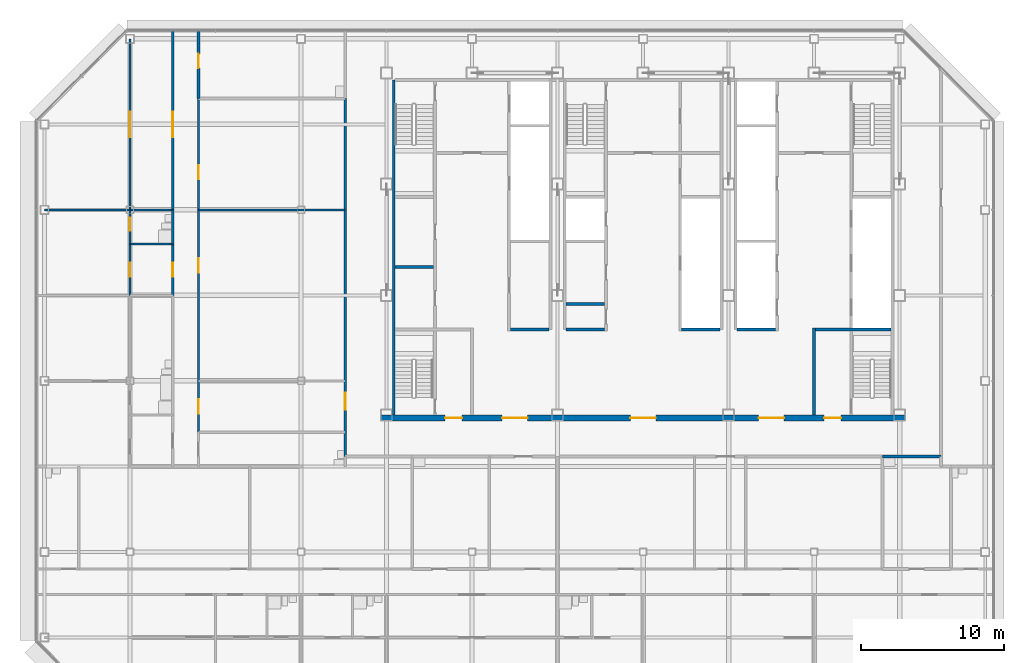
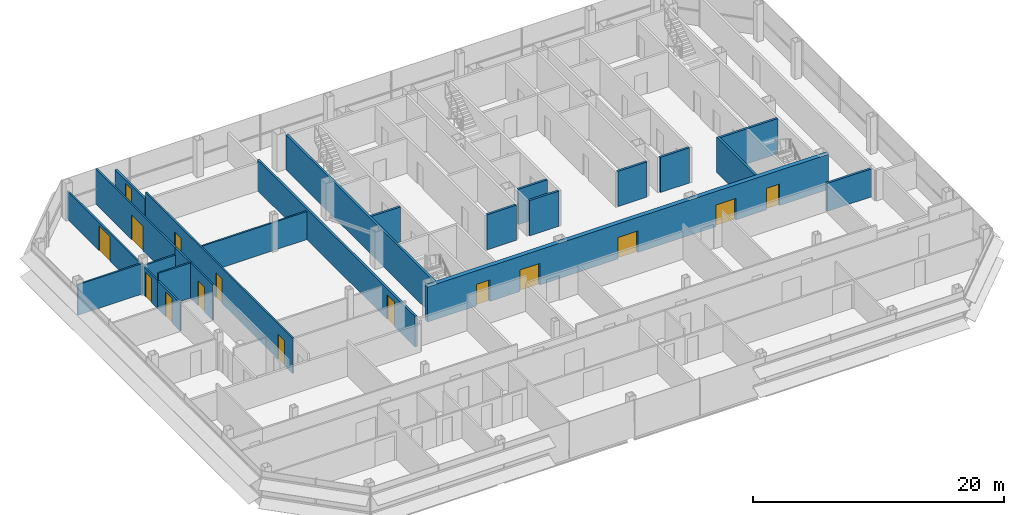
# One storey, part 22 of 27: 24 walls, 15 doors, 15 openings.
"""IFC4 building model written with IfcOpenShell, lengths in metres."""

import ifcopenshell
import ifcopenshell.guid

model = None  # the IFC model being written
_history = None  # IfcOwnerHistory: only IFC2X3 demands one
_inside = {}  # id of a spatial element -> (the spatial element, [elements in it])
_under = {}  # id of a project, library or spatial element -> (it, [spatial elements below it])
_declared = {}  # id of a project -> (the project, [libraries it declares])
_typed = {}  # id of a type object -> (the type object, [elements of that type])
_made_of = {}  # id of a material, layer set ... -> (it, [elements and type objects made of it])


def new_model(schema):
    """Start an empty IFC model of exactly this schema.

    Asked for "IFC4X3", IfcOpenShell would pick the latest addendum, in which some entities
    have other attributes; the version numbers below select the first issue.
    IFC2X3 requires an IfcOwnerHistory on every rooted entity: one is made here for all.
    """
    global model, _history
    if schema == "IFC4X3":
        model = ifcopenshell.file(schema_version=(4, 3, 0, 0))
    else:
        model = ifcopenshell.file(schema=schema)
    _inside.clear()
    _under.clear()
    _declared.clear()
    _typed.clear()
    _made_of.clear()
    _history = None
    if model.schema == "IFC2X3":
        org = make("IfcOrganization", Name="unknown")
        user = make(
            "IfcPersonAndOrganization",
            ThePerson=make("IfcPerson", FamilyName="unknown"),
            TheOrganization=org,
        )
        app = make(
            "IfcApplication",
            ApplicationDeveloper=org,
            Version="unknown",
            ApplicationFullName="unknown",
            ApplicationIdentifier="unknown",
        )
        _history = make(
            "IfcOwnerHistory",
            OwningUser=user,
            OwningApplication=app,
            ChangeAction="ADDED",
            CreationDate=0,
        )
    return model


def make(cls, **values):
    """One entity of the class cls with the attributes given. An attribute that is None is left unset."""
    return model.create_entity(
        cls, **{name: value for name, value in values.items() if value is not None}
    )


def rooted(cls, **values):
    """An entity with a GlobalId (a new one), such as an element, a storey or a relation."""
    return make(cls, GlobalId=ifcopenshell.guid.new(), OwnerHistory=_history, **values)


def si_unit(unit_type, name, prefix=None):
    """IfcSIUnit, for example si_unit("LENGTHUNIT", "METRE", prefix="MILLI")."""
    return make("IfcSIUnit", UnitType=unit_type, Prefix=prefix, Name=name)


def assignment(units):
    """IfcUnitAssignment: the units of a project."""
    return None if units is None else make("IfcUnitAssignment", Units=units)


def point(xyz):
    """IfcCartesianPoint."""
    return None if xyz is None else make("IfcCartesianPoint", Coordinates=xyz)


def direction(xyz):
    """IfcDirection."""
    return None if xyz is None else make("IfcDirection", DirectionRatios=xyz)


def frame(location, z_axis=None, x_axis=None):
    """IfcAxis2Placement3D, a coordinate frame: its origin and axes. An axis left out is left unset."""
    return make(
        "IfcAxis2Placement3D",
        Location=point(location),
        Axis=direction(z_axis),
        RefDirection=direction(x_axis),
    )


def frame_2d(location, x_axis=None):
    """IfcAxis2Placement2D, a coordinate frame in the plane: its origin and x axis."""
    return make(
        "IfcAxis2Placement2D", Location=point(location), RefDirection=direction(x_axis)
    )


def origin():
    """The frame at (0, 0, 0) with its axes left unset."""
    return frame((0.0, 0.0, 0.0))


def place(relative_to, where):
    """IfcLocalPlacement: puts the frame where relative to a parent placement (None: the world)."""
    return make(
        "IfcLocalPlacement", PlacementRelTo=relative_to, RelativePlacement=where
    )


def context(
    kind, dimensions, precision=None, world=None, true_north=None, identifier=None
):
    """IfcGeometricRepresentationContext, for example the 3D "Model" context."""
    return make(
        "IfcGeometricRepresentationContext",
        ContextIdentifier=identifier,
        ContextType=kind,
        CoordinateSpaceDimension=dimensions,
        Precision=precision,
        WorldCoordinateSystem=world,
        TrueNorth=true_north,
    )


def subcontext(parent, identifier, kind, view, scale=None):
    """IfcGeometricRepresentationSubContext, for example "Body" below "Model"."""
    return make(
        "IfcGeometricRepresentationSubContext",
        ContextIdentifier=identifier,
        ContextType=kind,
        ParentContext=parent,
        TargetScale=scale,
        TargetView=view,
    )


def project(units=None, contexts=None):
    """IfcProject with its units and contexts."""
    return rooted(
        "IfcProject",
        Name="project",
        RepresentationContexts=contexts,
        UnitsInContext=assignment(units),
    )


def spatial(cls, under=None, at=None, **own):
    """A site, building, storey or space (cls), placed at a placement, below another one or the project."""
    s = rooted(cls, ObjectPlacement=at, **own)
    if under is not None:
        _under.setdefault(under.id(), (under, []))[1].append(s)
    return s


def profile(cls, at=None, kind="AREA", **sizes):
    """A parametric profile (cls). Its sizes go by their IFC names, for example OverallWidth=200.0."""
    return make(cls, ProfileType=kind, Position=at, **sizes)


def rectangle(**sizes):
    """IfcRectangleProfileDef."""
    return profile("IfcRectangleProfileDef", **sizes)


def extrude(swept, where, along, depth):
    """IfcExtrudedAreaSolid: the profile swept, set in the frame where, extruded along a direction by depth."""
    return make(
        "IfcExtrudedAreaSolid",
        SweptArea=swept,
        Position=where,
        ExtrudedDirection=direction(along),
        Depth=depth,
    )


def shape(context_of_items, identifier, shape_type, items):
    """IfcShapeRepresentation: the items that make up one representation, for example the "Body"."""
    return make(
        "IfcShapeRepresentation",
        ContextOfItems=context_of_items,
        RepresentationIdentifier=identifier,
        RepresentationType=shape_type,
        Items=items,
    )


def material(Name=None, Category=None):
    """IfcMaterial."""
    return make("IfcMaterial", Name=Name, Category=Category)


def layer(
    of_material, thickness, ventilated=None, Name=None, Category=None, Priority=None
):
    """IfcMaterialLayer: one layer of a wall or slab, of a material (None: an air gap)."""
    return make(
        "IfcMaterialLayer",
        Material=of_material,
        LayerThickness=thickness,
        IsVentilated=ventilated,
        Name=Name,
        Category=Category,
        Priority=Priority,
    )


def layer_set(layers, Name=None):
    """IfcMaterialLayerSet."""
    return make("IfcMaterialLayerSet", MaterialLayers=layers, LayerSetName=Name)


def made_of(thing, what):
    """Note that an element or type object is made of a material, layer set ...; save() writes the relation."""
    if what is not None:
        _made_of.setdefault(what.id(), (what, []))[1].append(thing)
    return thing


def type_object(cls, material=None, **own):
    """A type object (cls), such as IfcWallType, which elements share."""
    return made_of(rooted(cls, **own), material)


def element(
    cls,
    number,
    at=None,
    inside=None,
    cuts=None,
    type_object=None,
    material=None,
    context=None,
    identifier="Body",
    shape_type=None,
    held_by="IfcProductDefinitionShape",
    body=None,
    shapes=None,
    **own,
):
    """One element of the class cls, such as IfcWall. Its Tag is "e" and its number.

    at: its placement. inside: the storey or other place that contains it. cuts: it is an
    opening in that element (IfcRelVoidsElement). A single representation is given by context,
    identifier, shape_type and body (its items); several are given by shapes. held_by: the class
    of the entity that holds the representations. save() writes the other relations.
    """
    e = rooted(cls, Tag="e%d" % number, ObjectPlacement=at, **own)
    if body is not None:
        shapes = [shape(context, identifier, shape_type, body)]
    if shapes is not None:
        e.Representation = make(held_by, Representations=shapes)
    if inside is not None:
        _inside.setdefault(inside.id(), (inside, []))[1].append(e)
    if cuts is not None:
        rooted(
            "IfcRelVoidsElement", RelatingBuildingElement=cuts, RelatedOpeningElement=e
        )
    if type_object is not None:
        _typed.setdefault(type_object.id(), (type_object, []))[1].append(e)
    return made_of(e, material)


def fill(opening, filler):
    """IfcRelFillsElement: the door or window that sits in an opening."""
    return rooted(
        "IfcRelFillsElement",
        RelatingOpeningElement=opening,
        RelatedBuildingElement=filler,
    )


def aggregate(whole, parts):
    """IfcRelAggregates: a whole, such as a stair, and the parts it consists of."""
    return rooted("IfcRelAggregates", RelatingObject=whole, RelatedObjects=parts)


def save(model, path):
    """Write the relations noted so far, then the file.

    IfcRelAggregates (storeys below a building ...), IfcRelContainedInSpatialStructure (elements
    in a storey), IfcRelDefinesByType, IfcRelAssociatesMaterial and IfcRelDeclares: one each for
    every whole, place, type object, material and project.
    """
    for whole, parts in _under.values():
        aggregate(whole, parts)
    for where, things in _inside.values():
        rooted(
            "IfcRelContainedInSpatialStructure",
            RelatedElements=things,
            RelatingStructure=where,
        )
    for kind, things in _typed.values():
        rooted("IfcRelDefinesByType", RelatedObjects=things, RelatingType=kind)
    for what, things in _made_of.values():
        rooted("IfcRelAssociatesMaterial", RelatedObjects=things, RelatingMaterial=what)
    for by, libraries in _declared.values():
        rooted("IfcRelDeclares", RelatingContext=by, RelatedDefinitions=libraries)
    model.write(path)


model = new_model("IFC4")

# Units and contexts
model_context = context("Model", 3, precision=1e-05, world=origin(), true_north=direction((0.0, 1.0)))
body_context = subcontext(model_context, "Body", "Model", "MODEL_VIEW")
ifc_project = project(units=[si_unit("LENGTHUNIT", "METRE"), si_unit("AREAUNIT", "SQUARE_METRE"), si_unit("VOLUMEUNIT", "CUBIC_METRE"), si_unit("PLANEANGLEUNIT", "RADIAN"), si_unit("MASSUNIT", "GRAM", prefix="KILO")], contexts=[model_context])

# Site, building, storey
site_placement = place(None, origin())
site = spatial("IfcSite", under=ifc_project, at=site_placement, CompositionType="ELEMENT")
building_placement = place(site_placement, origin())
building = spatial("IfcBuilding", under=site, at=building_placement, Name="Sorahane Residences", CompositionType="ELEMENT")
storey_placement = place(building_placement, frame((0.0, 0.0, 294.39990234375)))
storey = spatial("IfcBuildingStorey", under=building, at=storey_placement, Name="L69", CompositionType="ELEMENT", Elevation=294.39990234375)

# Wall
ifc_material_1 = material(Name="Concrete C30", Category="concrete")
ifc_layer_1 = layer(ifc_material_1, 0.199951171875)
ifc_layer_set_1 = layer_set([ifc_layer_1], Name="Core face wall 200 EI 180")
wall_type_1 = type_object("IfcWallType", Name="Core face wall 200 EI 180", PredefinedType="SOLIDWALL", material=ifc_layer_set_1)
wall_1_placement = place(storey_placement, frame((6.5, 21.60009765625, 0.0), z_axis=(0.0, 0.0, 1.0), x_axis=(0.0, 1.0, 0.0)))
element("IfcWall", 1, at=wall_1_placement, inside=storey, type_object=wall_type_1, Name="L69 core face wall", PredefinedType="SOLIDWALL", context=body_context, shape_type="SweptSolid", body=[
    extrude(rectangle(XDim=23.5, YDim=0.199951171875, at=frame_2d((11.75, 0.0))), origin(), (0.0, 0.0, 1.0), 3.420166015625),
])

# Wall, opening, door
ifc_material_2 = material(Name="Concrete blockwork C20 wall", Category="masonry")
ifc_layer_2 = layer(ifc_material_2, 0.199951171875)
ifc_layer_set_2 = layer_set([ifc_layer_2], Name="Corridor wall 200 EI 120")
wall_type_2 = type_object("IfcWallType", Name="Corridor wall 200 EI 120", PredefinedType="SOLIDWALL", material=ifc_layer_set_2)
wall_2_placement = place(storey_placement, frame((3.10009765625, 18.699951171875, 0.0), z_axis=(0.0, 0.0, 1.0), x_axis=(0.0, 1.0, 0.0)))
wall_2 = element("IfcWall", 2, at=wall_2_placement, inside=storey, type_object=wall_type_2, Name="L69 corridor wall", PredefinedType="SOLIDWALL", context=body_context, shape_type="SweptSolid", body=[
    extrude(rectangle(XDim=25.10009765625, YDim=0.199951171875, at=frame_2d((12.550048828125, 0.0))), origin(), (0.0, 0.0, 1.0), 2.97021484375),
])
opening_1_placement = place(wall_2_placement, frame((3.280029296875, 0.0, 0.0)))
opening_1 = element("IfcOpeningElement", 3, at=opening_1_placement, cuts=wall_2, Name="Opening L69-44", PredefinedType="OPENING", context=body_context, shape_type="SweptSolid", body=[
    extrude(rectangle(XDim=1.199951171875, YDim=2.39990234375, at=frame_2d((0.60009765625, 1.199951171875))), frame((0.0, 0.10986328125, 0.0), z_axis=(0.0, -1.0, 0.0), x_axis=(1.0, 0.0, 0.0)), (0.0, 0.0, 1.0), 0.219970703125),
])
ifc_material_3 = material(Name="Timber veneered fire door", Category="wood")
door_type_1 = type_object("IfcDoorType", Name="Flat entrance door 1200x2400 FD60", OperationType="NOTDEFINED", PredefinedType="DOOR", material=ifc_material_3)
door_1_placement = place(opening_1_placement, origin())
door_1 = element("IfcDoor", 4, at=door_1_placement, inside=storey, type_object=door_type_1, Name="Flat entrance door L69-44", OperationType="SINGLE_SWING_RIGHT", OverallHeight=2.39990234375, OverallWidth=1.199951171875, PredefinedType="DOOR", context=body_context, shape_type="SweptSolid", body=[
    extrude(rectangle(XDim=1.199951171875, YDim=2.39990234375, at=frame_2d((0.60009765625, 1.199951171875))), frame((0.0, 0.02490234375, 0.0), z_axis=(0.0, -1.0, 0.0), x_axis=(1.0, 0.0, 0.0)), (0.0, 0.0, 1.0), 0.050048828125),
])
fill(opening_1, door_1)

# Wall
ifc_material_4 = material(Name="Concrete C30", Category="concrete")
ifc_layer_3 = layer(ifc_material_4, 0.199951171875)
ifc_layer_set_3 = layer_set([ifc_layer_3], Name="Front room wall 200 EI 120")
wall_type_3 = type_object("IfcWallType", Name="Front room wall 200 EI 120", PredefinedType="PARTITIONING", material=ifc_layer_set_3)
wall_3_placement = place(storey_placement, frame((36.0, 21.60009765625, 0.0), z_axis=(0.0, 0.0, 1.0), x_axis=(0.0, 1.0, 0.0)))
element("IfcWall", 5, at=wall_3_placement, inside=storey, type_object=wall_type_3, Name="L69 front room wall", PredefinedType="PARTITIONING", context=body_context, shape_type="SweptSolid", body=[
    extrude(rectangle(XDim=6.099853515625, YDim=0.199951171875, at=frame_2d((3.0498046875, 0.0))), origin(), (0.0, 0.0, 1.0), 3.420166015625),
])

# Wall, opening, door
ifc_material_5 = material(Name="Concrete blockwork C20 wall", Category="masonry")
ifc_layer_4 = layer(ifc_material_5, 0.199951171875)
ifc_layer_set_4 = layer_set([ifc_layer_4], Name="Kitchen wall 200 EI 180")
wall_type_4 = type_object("IfcWallType", Name="Kitchen wall 200 EI 180", PredefinedType="SOLIDWALL", material=ifc_layer_set_4)
wall_4_placement = place(storey_placement, frame((-7.199951171875, 43.800048828125, 0.0), z_axis=(0.0, 0.0, 1.0), x_axis=(0.0, 1.0, 0.0)))
wall_4 = element("IfcWall", 6, at=wall_4_placement, inside=storey, type_object=wall_type_4, Name="L69 kitchen wall", PredefinedType="SOLIDWALL", context=body_context, shape_type="SweptSolid", body=[
    extrude(rectangle(XDim=4.800048828125, YDim=0.199951171875, at=frame_2d((2.39990234375, 0.0))), origin(), (0.0, 0.0, 1.0), 2.72021484375),
])
opening_2_placement = place(wall_4_placement, frame((2.139892578125, 0.0, 0.0)))
opening_2 = element("IfcOpeningElement", 7, at=opening_2_placement, cuts=wall_4, Name="Opening L69-32", PredefinedType="OPENING", context=body_context, shape_type="SweptSolid", body=[
    extrude(rectangle(XDim=1.0, YDim=2.39990234375, at=frame_2d((0.5, 1.199951171875))), frame((0.0, 0.10986328125, 0.0), z_axis=(0.0, -1.0, 0.0), x_axis=(1.0, 0.0, 0.0)), (0.0, 0.0, 1.0), 0.219970703125),
])
ifc_material_6 = material(Name="Steel", Category="steel")
door_type_2 = type_object("IfcDoorType", Name="Kitchen door 1000x2400 FD120", OperationType="NOTDEFINED", PredefinedType="DOOR", material=ifc_material_6)
door_2_placement = place(opening_2_placement, frame((1.0, 0.0, 0.0), z_axis=(0.0, 0.0, 1.0), x_axis=(-1.0, 0.0, 0.0)))
door_2 = element("IfcDoor", 8, at=door_2_placement, inside=storey, type_object=door_type_2, Name="Kitchen door L69-32", OperationType="SINGLE_SWING_LEFT", OverallHeight=2.39990234375, OverallWidth=1.0, PredefinedType="DOOR", context=body_context, shape_type="SweptSolid", body=[
    extrude(rectangle(XDim=1.0, YDim=2.39990234375, at=frame_2d((0.5, 1.199951171875))), frame((0.0, 0.02490234375, 0.0), z_axis=(0.0, -1.0, 0.0), x_axis=(1.0, 0.0, 0.0)), (0.0, 0.0, 1.0), 0.050048828125),
])
fill(opening_2, door_2)

# Walls
wall_5_placement = place(storey_placement, frame((40.800048828125, 18.699951171875, 0.0), z_axis=(0.0, 0.0, 1.0), x_axis=(1.0, 0.0, 0.0)))
element("IfcWall", 9, at=wall_5_placement, inside=storey, type_object=wall_type_4, Name="L69 kitchen wall", PredefinedType="SOLIDWALL", context=body_context, shape_type="SweptSolid", body=[
    extrude(rectangle(XDim=4.099853515625, YDim=0.199951171875, at=frame_2d((2.0498046875, 0.0))), origin(), (0.0, 0.0, 1.0), 2.72021484375),
])
ifc_material_7 = material(Name="Concrete C30", Category="concrete")
ifc_layer_5 = layer(ifc_material_7, 0.199951171875)
ifc_layer_set_5 = layer_set([ifc_layer_5], Name="Lift shaft wall 200 EI 120")
wall_type_5 = type_object("IfcWallType", Name="Lift shaft wall 200 EI 120", PredefinedType="SOLIDWALL", material=ifc_layer_set_5)
wall_6_placement = place(storey_placement, frame((30.60009765625, 27.60009765625, 0.0), z_axis=(0.0, 0.0, 1.0), x_axis=(1.0, 0.0, 0.0)))
element("IfcWall", 10, at=wall_6_placement, inside=storey, type_object=wall_type_5, Name="L69 lift shaft wall", PredefinedType="SOLIDWALL", context=body_context, shape_type="SweptSolid", body=[
    extrude(rectangle(XDim=2.699951171875, YDim=0.199951171875, at=frame_2d((1.35009765625, 0.0))), origin(), (0.0, 0.0, 1.0), 3.420166015625),
])

# Wall, opening, door
ifc_material_8 = material(Name="Gypsum board partition on steel studs", Category="steel")
ifc_layer_6 = layer(ifc_material_8, 0.14990234375)
ifc_layer_set_6 = layer_set([ifc_layer_6], Name="Partition 150 EI 90")
wall_type_6 = type_object("IfcWallType", Name="Partition 150 EI 90", PredefinedType="PARTITIONING", material=ifc_layer_set_6)
wall_7_placement = place(storey_placement, frame((-12.0, 30.0, 0.0), z_axis=(0.0, 0.0, 1.0), x_axis=(0.0, 1.0, 0.0)))
wall_7 = element("IfcWall", 11, at=wall_7_placement, inside=storey, type_object=wall_type_6, Name="L69 partition", PredefinedType="PARTITIONING", context=body_context, shape_type="SweptSolid", body=[
    extrude(rectangle(XDim=3.60009765625, YDim=0.14990234375, at=frame_2d((1.800048828125, 0.0))), origin(), (0.0, 0.0, 1.0), 2.72021484375),
])
opening_3_placement = place(wall_7_placement, frame((1.300048828125, 0.0, 0.0)))
opening_3 = element("IfcOpeningElement", 12, at=opening_3_placement, cuts=wall_7, Name="Opening L69-39", PredefinedType="OPENING", context=body_context, shape_type="SweptSolid", body=[
    extrude(rectangle(XDim=1.0, YDim=2.39990234375, at=frame_2d((0.5, 1.199951171875))), frame((0.0, 0.0849609375, 0.0), z_axis=(0.0, -1.0, 0.0), x_axis=(1.0, 0.0, 0.0)), (0.0, 0.0, 1.0), 0.169921875),
])
ifc_material_9 = material(Name="Timber veneered fire door", Category="wood")
door_type_3 = type_object("IfcDoorType", Name="Room door 1000x2400 FD30", OperationType="NOTDEFINED", PredefinedType="DOOR", material=ifc_material_9)
door_3_placement = place(opening_3_placement, origin())
door_3 = element("IfcDoor", 13, at=door_3_placement, inside=storey, type_object=door_type_3, Name="Room door L69-39", OperationType="SINGLE_SWING_LEFT", OverallHeight=2.39990234375, OverallWidth=1.0, PredefinedType="DOOR", context=body_context, shape_type="SweptSolid", body=[
    extrude(rectangle(XDim=1.0, YDim=2.39990234375, at=frame_2d((0.5, 1.199951171875))), frame((0.0, 0.02490234375, 0.0), z_axis=(0.0, -1.0, 0.0), x_axis=(1.0, 0.0, 0.0)), (0.0, 0.0, 1.0), 0.050048828125),
])
fill(opening_3, door_3)

wall_8_placement = place(storey_placement, frame((-12.0, 36.0, 0.0), z_axis=(0.0, 0.0, 1.0), x_axis=(0.0, 1.0, 0.0)))
wall_8 = element("IfcWall", 14, at=wall_8_placement, inside=storey, type_object=wall_type_6, Name="L69 partition", PredefinedType="PARTITIONING", context=body_context, shape_type="SweptSolid", body=[
    extrude(rectangle(XDim=12.0, YDim=0.14990234375, at=frame_2d((6.0, 0.0))), origin(), (0.0, 0.0, 1.0), 2.72021484375),
])
opening_4_placement = place(wall_8_placement, frame((5.10009765625, 0.0, 0.0)))
opening_4 = element("IfcOpeningElement", 15, at=opening_4_placement, cuts=wall_8, Name="Opening L69-41", PredefinedType="OPENING", context=body_context, shape_type="SweptSolid", body=[
    extrude(rectangle(XDim=1.800048828125, YDim=2.39990234375, at=frame_2d((0.89990234375, 1.199951171875))), frame((0.0, 0.0849609375, 0.0), z_axis=(0.0, -1.0, 0.0), x_axis=(1.0, 0.0, 0.0)), (0.0, 0.0, 1.0), 0.169921875),
])
ifc_material_10 = material(Name="Timber veneered fire door", Category="wood")
door_type_4 = type_object("IfcDoorType", Name="Double door 1800x2400 FD30", OperationType="NOTDEFINED", PredefinedType="DOOR", material=ifc_material_10)
door_4_placement = place(opening_4_placement, origin())
door_4 = element("IfcDoor", 16, at=door_4_placement, inside=storey, type_object=door_type_4, Name="Double door L69-41", OperationType="SINGLE_SWING_RIGHT", OverallHeight=2.39990234375, OverallWidth=1.800048828125, PredefinedType="DOOR", context=body_context, shape_type="SweptSolid", body=[
    extrude(rectangle(XDim=1.800048828125, YDim=2.39990234375, at=frame_2d((0.89990234375, 1.199951171875))), frame((0.0, 0.02490234375, 0.0), z_axis=(0.0, -1.0, 0.0), x_axis=(1.0, 0.0, 0.0)), (0.0, 0.0, 1.0), 0.050048828125),
])
fill(opening_4, door_4)

# Wall, openings, doors
wall_9_placement = place(storey_placement, frame((-7.199951171875, 20.39990234375, 0.0), z_axis=(0.0, 0.0, 1.0), x_axis=(0.0, 1.0, 0.0)))
wall_9 = element("IfcWall", 17, at=wall_9_placement, inside=storey, type_object=wall_type_6, Name="L69 partition", PredefinedType="PARTITIONING", context=body_context, shape_type="SweptSolid", body=[
    extrude(rectangle(XDim=23.400146484375, YDim=0.14990234375, at=frame_2d((11.7001953125, 0.0))), origin(), (0.0, 0.0, 1.0), 3.420166015625),
])
opening_5_placement = place(wall_9_placement, frame((1.300048828125, 0.0, 0.0)))
opening_5 = element("IfcOpeningElement", 18, at=opening_5_placement, cuts=wall_9, Name="Opening L69-28", PredefinedType="OPENING", context=body_context, shape_type="SweptSolid", body=[
    extrude(rectangle(XDim=1.0, YDim=2.39990234375, at=frame_2d((0.5, 1.199951171875))), frame((0.0, 0.0849609375, 0.0), z_axis=(0.0, -1.0, 0.0), x_axis=(1.0, 0.0, 0.0)), (0.0, 0.0, 1.0), 0.169921875),
])
opening_6_placement = place(wall_9_placement, frame((11.199951171875, 0.0, 0.0)))
opening_6 = element("IfcOpeningElement", 19, at=opening_6_placement, cuts=wall_9, Name="Opening L69-30", PredefinedType="OPENING", context=body_context, shape_type="SweptSolid", body=[
    extrude(rectangle(XDim=1.0, YDim=2.39990234375, at=frame_2d((0.5, 1.199951171875))), frame((0.0, 0.0849609375, 0.0), z_axis=(0.0, -1.0, 0.0), x_axis=(1.0, 0.0, 0.0)), (0.0, 0.0, 1.0), 0.169921875),
])
opening_7_placement = place(wall_9_placement, frame((17.739990234375, 0.0, 0.0)))
opening_7 = element("IfcOpeningElement", 20, at=opening_7_placement, cuts=wall_9, Name="Opening L69-31", PredefinedType="OPENING", context=body_context, shape_type="SweptSolid", body=[
    extrude(rectangle(XDim=1.0, YDim=2.39990234375, at=frame_2d((0.5, 1.199951171875))), frame((0.0, 0.0849609375, 0.0), z_axis=(0.0, -1.0, 0.0), x_axis=(1.0, 0.0, 0.0)), (0.0, 0.0, 1.0), 0.169921875),
])
door_5_placement = place(opening_5_placement, origin())
door_5 = element("IfcDoor", 21, at=door_5_placement, inside=storey, type_object=door_type_3, Name="Room door L69-28", OperationType="SINGLE_SWING_RIGHT", OverallHeight=2.39990234375, OverallWidth=1.0, PredefinedType="DOOR", context=body_context, shape_type="SweptSolid", body=[
    extrude(rectangle(XDim=1.0, YDim=2.39990234375, at=frame_2d((0.5, 1.199951171875))), frame((0.0, 0.02490234375, 0.0), z_axis=(0.0, -1.0, 0.0), x_axis=(1.0, 0.0, 0.0)), (0.0, 0.0, 1.0), 0.050048828125),
])
fill(opening_5, door_5)
door_6_placement = place(opening_6_placement, frame((1.0, 0.0, 0.0), z_axis=(0.0, 0.0, 1.0), x_axis=(-1.0, 0.0, 0.0)))
door_6 = element("IfcDoor", 22, at=door_6_placement, inside=storey, type_object=door_type_3, Name="Room door L69-30", OperationType="SINGLE_SWING_RIGHT", OverallHeight=2.39990234375, OverallWidth=1.0, PredefinedType="DOOR", context=body_context, shape_type="SweptSolid", body=[
    extrude(rectangle(XDim=1.0, YDim=2.39990234375, at=frame_2d((0.5, 1.199951171875))), frame((0.0, 0.02490234375, 0.0), z_axis=(0.0, -1.0, 0.0), x_axis=(1.0, 0.0, 0.0)), (0.0, 0.0, 1.0), 0.050048828125),
])
fill(opening_6, door_6)
door_7_placement = place(opening_7_placement, frame((1.0, 0.0, 0.0), z_axis=(0.0, 0.0, 1.0), x_axis=(-1.0, 0.0, 0.0)))
door_7 = element("IfcDoor", 23, at=door_7_placement, inside=storey, type_object=door_type_3, Name="Room door L69-31", OperationType="SINGLE_SWING_LEFT", OverallHeight=2.39990234375, OverallWidth=1.0, PredefinedType="DOOR", context=body_context, shape_type="SweptSolid", body=[
    extrude(rectangle(XDim=1.0, YDim=2.39990234375, at=frame_2d((0.5, 1.199951171875))), frame((0.0, 0.02490234375, 0.0), z_axis=(0.0, -1.0, 0.0), x_axis=(1.0, 0.0, 0.0)), (0.0, 0.0, 1.0), 0.050048828125),
])
fill(opening_7, door_7)

# Wall, opening, door
wall_10_placement = place(storey_placement, frame((-9.0, 30.0, 0.0), z_axis=(0.0, 0.0, 1.0), x_axis=(0.0, 1.0, 0.0)))
wall_10 = element("IfcWall", 24, at=wall_10_placement, inside=storey, type_object=wall_type_6, Name="L69 partition", PredefinedType="PARTITIONING", context=body_context, shape_type="SweptSolid", body=[
    extrude(rectangle(XDim=3.60009765625, YDim=0.14990234375, at=frame_2d((1.800048828125, 0.0))), origin(), (0.0, 0.0, 1.0), 3.420166015625),
])
opening_8_placement = place(wall_10_placement, frame((1.300048828125, 0.0, 0.0)))
opening_8 = element("IfcOpeningElement", 25, at=opening_8_placement, cuts=wall_10, Name="Opening L69-34", PredefinedType="OPENING", context=body_context, shape_type="SweptSolid", body=[
    extrude(rectangle(XDim=1.0, YDim=2.39990234375, at=frame_2d((0.5, 1.199951171875))), frame((0.0, 0.0849609375, 0.0), z_axis=(0.0, -1.0, 0.0), x_axis=(1.0, 0.0, 0.0)), (0.0, 0.0, 1.0), 0.169921875),
])
door_8_placement = place(opening_8_placement, origin())
door_8 = element("IfcDoor", 26, at=door_8_placement, inside=storey, type_object=door_type_3, Name="Room door L69-34", OperationType="SINGLE_SWING_LEFT", OverallHeight=2.39990234375, OverallWidth=1.0, PredefinedType="DOOR", context=body_context, shape_type="SweptSolid", body=[
    extrude(rectangle(XDim=1.0, YDim=2.39990234375, at=frame_2d((0.5, 1.199951171875))), frame((0.0, 0.02490234375, 0.0), z_axis=(0.0, -1.0, 0.0), x_axis=(1.0, 0.0, 0.0)), (0.0, 0.0, 1.0), 0.050048828125),
])
fill(opening_8, door_8)

wall_11_placement = place(storey_placement, frame((-9.0, 36.0, 0.0), z_axis=(0.0, 0.0, 1.0), x_axis=(0.0, 1.0, 0.0)))
wall_11 = element("IfcWall", 27, at=wall_11_placement, inside=storey, type_object=wall_type_6, Name="L69 partition", PredefinedType="PARTITIONING", context=body_context, shape_type="SweptSolid", body=[
    extrude(rectangle(XDim=12.60009765625, YDim=0.14990234375, at=frame_2d((6.300048828125, 0.0))), origin(), (0.0, 0.0, 1.0), 3.420166015625),
])
opening_9_placement = place(wall_11_placement, frame((5.10009765625, 0.0, 0.0)))
opening_9 = element("IfcOpeningElement", 28, at=opening_9_placement, cuts=wall_11, Name="Opening L69-35", PredefinedType="OPENING", context=body_context, shape_type="SweptSolid", body=[
    extrude(rectangle(XDim=1.800048828125, YDim=2.39990234375, at=frame_2d((0.89990234375, 1.199951171875))), frame((0.0, 0.0849609375, 0.0), z_axis=(0.0, -1.0, 0.0), x_axis=(1.0, 0.0, 0.0)), (0.0, 0.0, 1.0), 0.169921875),
])
door_9_placement = place(opening_9_placement, origin())
door_9 = element("IfcDoor", 29, at=door_9_placement, inside=storey, type_object=door_type_4, Name="Double door L69-35", OperationType="SINGLE_SWING_RIGHT", OverallHeight=2.39990234375, OverallWidth=1.800048828125, PredefinedType="DOOR", context=body_context, shape_type="SweptSolid", body=[
    extrude(rectangle(XDim=1.800048828125, YDim=2.39990234375, at=frame_2d((0.89990234375, 1.199951171875))), frame((0.0, 0.02490234375, 0.0), z_axis=(0.0, -1.0, 0.0), x_axis=(1.0, 0.0, 0.0)), (0.0, 0.0, 1.0), 0.050048828125),
])
fill(opening_9, door_9)

# Walls
wall_12_placement = place(storey_placement, frame((-18.0, 36.0, 0.0), z_axis=(0.0, 0.0, 1.0), x_axis=(1.0, 0.0, 0.0)))
element("IfcWall", 30, at=wall_12_placement, inside=storey, type_object=wall_type_6, Name="L69 partition", PredefinedType="PARTITIONING", context=body_context, shape_type="SweptSolid", body=[
    extrude(rectangle(XDim=6.0, YDim=0.14990234375, at=frame_2d((3.0, 0.0))), origin(), (0.0, 0.0, 1.0), 2.97021484375),
])
wall_13_placement = place(storey_placement, frame((-7.199951171875, 36.0, 0.0), z_axis=(0.0, 0.0, 1.0), x_axis=(1.0, 0.0, 0.0)))
element("IfcWall", 31, at=wall_13_placement, inside=storey, type_object=wall_type_6, Name="L69 partition", PredefinedType="PARTITIONING", context=body_context, shape_type="SweptSolid", body=[
    extrude(rectangle(XDim=10.300048828125, YDim=0.14990234375, at=frame_2d((5.14990234375, 0.0))), origin(), (0.0, 0.0, 1.0), 2.72021484375),
])
ifc_material_11 = material(Name="Concrete C30", Category="concrete")
ifc_layer_7 = layer(ifc_material_11, 0.199951171875)
ifc_layer_set_7 = layer_set([ifc_layer_7], Name="Riser shaft wall 200 EI 120")
wall_type_7 = type_object("IfcWallType", Name="Riser shaft wall 200 EI 120", PredefinedType="SOLIDWALL", material=ifc_layer_set_7)
wall_14_placement = place(storey_placement, frame((26.699951171875, 27.60009765625, 0.0), z_axis=(0.0, 0.0, 1.0), x_axis=(1.0, 0.0, 0.0)))
element("IfcWall", 32, at=wall_14_placement, inside=storey, type_object=wall_type_7, Name="L69 riser wall", PredefinedType="SOLIDWALL", context=body_context, shape_type="SweptSolid", body=[
    extrude(rectangle(XDim=2.699951171875, YDim=0.199951171875, at=frame_2d((1.35009765625, 0.0))), origin(), (0.0, 0.0, 1.0), 3.420166015625),
])
ifc_material_12 = material(Name="Concrete C30", Category="concrete")
ifc_layer_8 = layer(ifc_material_12, 0.199951171875)
ifc_layer_set_8 = layer_set([ifc_layer_8], Name="Service room partition 200 EI 60")
wall_type_8 = type_object("IfcWallType", Name="Service room partition 200 EI 60", PredefinedType="PARTITIONING", material=ifc_layer_set_8)
for number, where, z_axis, x_axis, name in (
    (33, (14.699951171875, 27.60009765625, 0.0), (0.0, 0.0, 1.0), (1.0, 0.0, 0.0), "L69 service room wall"),
    (34, (18.60009765625, 27.60009765625, 0.0), (0.0, 0.0, 1.0), (1.0, 0.0, 0.0), "L69 service room wall"),
    (35, (18.60009765625, 29.39990234375, 0.0), (0.0, 0.0, 1.0), (1.0, 0.0, 0.0), "L69 service room wall"),
    (36, (6.60009765625, 32.0, 0.0), (0.0, 0.0, 1.0), (1.0, 0.0, 0.0), "L69 service room wall"),
):
    element("IfcWall", number, at=place(storey_placement, frame(where, z_axis=z_axis, x_axis=x_axis)), inside=storey, type_object=wall_type_8, Name=name, PredefinedType="PARTITIONING", context=body_context, shape_type="SweptSolid", body=[
        extrude(rectangle(XDim=2.699951171875, YDim=0.199951171875, at=frame_2d((1.35009765625, 0.0))), origin(), (0.0, 0.0, 1.0), 3.420166015625),
    ])
ifc_material_13 = material(Name="Concrete C30", Category="concrete")
ifc_layer_9 = layer(ifc_material_13, 0.199951171875)
ifc_layer_set_9 = layer_set([ifc_layer_9], Name="Stair enclosure wall 200 EI 120")
wall_type_9 = type_object("IfcWallType", Name="Stair enclosure wall 200 EI 120", PredefinedType="SOLIDWALL", material=ifc_layer_set_9)
wall_15_placement = place(storey_placement, frame((36.10009765625, 27.60009765625, 0.0), z_axis=(0.0, 0.0, 1.0), x_axis=(1.0, 0.0, 0.0)))
element("IfcWall", 37, at=wall_15_placement, inside=storey, type_object=wall_type_9, Name="L69 stair enclosure wall", PredefinedType="SOLIDWALL", context=body_context, shape_type="SweptSolid", body=[
    extrude(rectangle(XDim=5.2998046875, YDim=0.199951171875, at=frame_2d((2.64990234375, 0.0))), origin(), (0.0, 0.0, 1.0), 3.420166015625),
])

# Wall, openings, doors
ifc_material_14 = material(Name="Concrete C30", Category="concrete")
ifc_layer_10 = layer(ifc_material_14, 0.39990234375)
ifc_layer_set_10 = layer_set([ifc_layer_10], Name="Waiting hall wall 400 EI 120")
wall_type_10 = type_object("IfcWallType", Name="Waiting hall wall 400 EI 120", PredefinedType="SOLIDWALL", material=ifc_layer_set_10)
wall_16_placement = place(storey_placement, frame((5.60009765625, 21.39990234375, 0.0), z_axis=(0.0, 0.0, 1.0), x_axis=(1.0, 0.0, 0.0)))
wall_16 = element("IfcWall", 38, at=wall_16_placement, inside=storey, type_object=wall_type_10, Name="L69 waiting hall wall", PredefinedType="SOLIDWALL", context=body_context, shape_type="SweptSolid", body=[
    extrude(rectangle(XDim=36.7998046875, YDim=0.39990234375, at=frame_2d((18.39990234375, 0.0))), origin(), (0.0, 0.0, 1.0), 3.420166015625),
])
opening_10_placement = place(wall_16_placement, frame((8.5, 0.0, 0.0)))
opening_10 = element("IfcOpeningElement", 39, at=opening_10_placement, cuts=wall_16, Name="Opening L69-C01", PredefinedType="OPENING", context=body_context, shape_type="SweptSolid", body=[
    extrude(rectangle(XDim=1.800048828125, YDim=2.10009765625, at=frame_2d((0.89990234375, 1.050048828125))), frame((0.0, 0.2099609375, 0.0), z_axis=(0.0, -1.0, 0.0), x_axis=(1.0, 0.0, 0.0)), (0.0, 0.0, 1.0), 0.419921875),
])
opening_11_placement = place(wall_16_placement, frame((17.5, 0.0, 0.0)))
opening_11 = element("IfcOpeningElement", 40, at=opening_11_placement, cuts=wall_16, Name="Opening L69-C02", PredefinedType="OPENING", context=body_context, shape_type="SweptSolid", body=[
    extrude(rectangle(XDim=1.800048828125, YDim=2.10009765625, at=frame_2d((0.89990234375, 1.050048828125))), frame((0.0, 0.2099609375, 0.0), z_axis=(0.0, -1.0, 0.0), x_axis=(1.0, 0.0, 0.0)), (0.0, 0.0, 1.0), 0.419921875),
])
opening_12_placement = place(wall_16_placement, frame((26.5, 0.0, 0.0)))
opening_12 = element("IfcOpeningElement", 41, at=opening_12_placement, cuts=wall_16, Name="Opening L69-C03", PredefinedType="OPENING", context=body_context, shape_type="SweptSolid", body=[
    extrude(rectangle(XDim=1.800048828125, YDim=2.10009765625, at=frame_2d((0.89990234375, 1.050048828125))), frame((0.0, 0.2099609375, 0.0), z_axis=(0.0, -1.0, 0.0), x_axis=(1.0, 0.0, 0.0)), (0.0, 0.0, 1.0), 0.419921875),
])
opening_13_placement = place(wall_16_placement, frame((4.5, 0.0, 0.0)))
opening_13 = element("IfcOpeningElement", 42, at=opening_13_placement, cuts=wall_16, Name="Opening L69-C04", PredefinedType="OPENING", context=body_context, shape_type="SweptSolid", body=[
    extrude(rectangle(XDim=1.199951171875, YDim=2.10009765625, at=frame_2d((0.60009765625, 1.050048828125))), frame((0.0, 0.2099609375, 0.0), z_axis=(0.0, -1.0, 0.0), x_axis=(1.0, 0.0, 0.0)), (0.0, 0.0, 1.0), 0.419921875),
])
opening_14_placement = place(wall_16_placement, frame((31.10009765625, 0.0, 0.0)))
opening_14 = element("IfcOpeningElement", 43, at=opening_14_placement, cuts=wall_16, Name="Opening L69-C05", PredefinedType="OPENING", context=body_context, shape_type="SweptSolid", body=[
    extrude(rectangle(XDim=1.199951171875, YDim=2.10009765625, at=frame_2d((0.60009765625, 1.050048828125))), frame((0.0, 0.2099609375, 0.0), z_axis=(0.0, -1.0, 0.0), x_axis=(1.0, 0.0, 0.0)), (0.0, 0.0, 1.0), 0.419921875),
])
ifc_material_15 = material(Name="Steel", Category="steel")
door_type_5 = type_object("IfcDoorType", Name="Stair front room door 1200x2100 FD120", OperationType="NOTDEFINED", PredefinedType="DOOR", material=ifc_material_15)
door_10_placement = place(opening_13_placement, frame((1.199951171875, 0.0, 0.0), z_axis=(0.0, 0.0, 1.0), x_axis=(-1.0, 0.0, 0.0)))
door_10 = element("IfcDoor", 44, at=door_10_placement, inside=storey, type_object=door_type_5, Name="Stair front room door Stair S4 front room L69", OperationType="SINGLE_SWING_LEFT", OverallHeight=2.10009765625, OverallWidth=1.199951171875, PredefinedType="DOOR", context=body_context, shape_type="SweptSolid", body=[
    extrude(rectangle(XDim=1.199951171875, YDim=2.10009765625, at=frame_2d((0.60009765625, 1.050048828125))), frame((0.0, 0.02490234375, 0.0), z_axis=(0.0, -1.0, 0.0), x_axis=(1.0, 0.0, 0.0)), (0.0, 0.0, 1.0), 0.050048828125),
])
fill(opening_13, door_10)
door_11_placement = place(opening_14_placement, frame((1.199951171875, 0.0, 0.0), z_axis=(0.0, 0.0, 1.0), x_axis=(-1.0, 0.0, 0.0)))
door_11 = element("IfcDoor", 45, at=door_11_placement, inside=storey, type_object=door_type_5, Name="Stair front room door Stair S5 front room L69", OperationType="SINGLE_SWING_LEFT", OverallHeight=2.10009765625, OverallWidth=1.199951171875, PredefinedType="DOOR", context=body_context, shape_type="SweptSolid", body=[
    extrude(rectangle(XDim=1.199951171875, YDim=2.10009765625, at=frame_2d((0.60009765625, 1.050048828125))), frame((0.0, 0.02490234375, 0.0), z_axis=(0.0, -1.0, 0.0), x_axis=(1.0, 0.0, 0.0)), (0.0, 0.0, 1.0), 0.050048828125),
])
fill(opening_14, door_11)
ifc_material_16 = material(Name="Steel", Category="steel")
door_type_6 = type_object("IfcDoorType", Name="Waiting hall door 1800x2100 FD60", OperationType="NOTDEFINED", PredefinedType="DOOR", material=ifc_material_16)
door_12_placement = place(opening_10_placement, frame((1.800048828125, 0.0, 0.0), z_axis=(0.0, 0.0, 1.0), x_axis=(-1.0, 0.0, 0.0)))
door_12 = element("IfcDoor", 46, at=door_12_placement, inside=storey, type_object=door_type_6, Name="Waiting hall door Residents' waiting hall L69", OperationType="SINGLE_SWING_LEFT", OverallHeight=2.10009765625, OverallWidth=1.800048828125, PredefinedType="DOOR", context=body_context, shape_type="SweptSolid", body=[
    extrude(rectangle(XDim=1.800048828125, YDim=2.10009765625, at=frame_2d((0.89990234375, 1.050048828125))), frame((0.0, 0.02490234375, 0.0), z_axis=(0.0, -1.0, 0.0), x_axis=(1.0, 0.0, 0.0)), (0.0, 0.0, 1.0), 0.050048828125),
])
fill(opening_10, door_12)
door_13_placement = place(opening_11_placement, frame((1.800048828125, 0.0, 0.0), z_axis=(0.0, 0.0, 1.0), x_axis=(-1.0, 0.0, 0.0)))
door_13 = element("IfcDoor", 47, at=door_13_placement, inside=storey, type_object=door_type_6, Name="Waiting hall door Residents' waiting hall L69", OperationType="SINGLE_SWING_LEFT", OverallHeight=2.10009765625, OverallWidth=1.800048828125, PredefinedType="DOOR", context=body_context, shape_type="SweptSolid", body=[
    extrude(rectangle(XDim=1.800048828125, YDim=2.10009765625, at=frame_2d((0.89990234375, 1.050048828125))), frame((0.0, 0.02490234375, 0.0), z_axis=(0.0, -1.0, 0.0), x_axis=(1.0, 0.0, 0.0)), (0.0, 0.0, 1.0), 0.050048828125),
])
fill(opening_11, door_13)
door_14_placement = place(opening_12_placement, frame((1.800048828125, 0.0, 0.0), z_axis=(0.0, 0.0, 1.0), x_axis=(-1.0, 0.0, 0.0)))
door_14 = element("IfcDoor", 48, at=door_14_placement, inside=storey, type_object=door_type_6, Name="Waiting hall door Residents' waiting hall L69", OperationType="SINGLE_SWING_LEFT", OverallHeight=2.10009765625, OverallWidth=1.800048828125, PredefinedType="DOOR", context=body_context, shape_type="SweptSolid", body=[
    extrude(rectangle(XDim=1.800048828125, YDim=2.10009765625, at=frame_2d((0.89990234375, 1.050048828125))), frame((0.0, 0.02490234375, 0.0), z_axis=(0.0, -1.0, 0.0), x_axis=(1.0, 0.0, 0.0)), (0.0, 0.0, 1.0), 0.050048828125),
])
fill(opening_12, door_14)

# Wall, opening, door
ifc_material_17 = material(Name="Gypsum board partition on steel studs", Category="steel")
ifc_layer_11 = layer(ifc_material_17, 0.14990234375)
ifc_layer_set_11 = layer_set([ifc_layer_11], Name="Wet wall 150 EI 90")
wall_type_11 = type_object("IfcWallType", Name="Wet wall 150 EI 90", PredefinedType="PARTITIONING", material=ifc_layer_set_11)
wall_17_placement = place(storey_placement, frame((-12.0, 33.60009765625, 0.0), z_axis=(0.0, 0.0, 1.0), x_axis=(0.0, 1.0, 0.0)))
wall_17 = element("IfcWall", 49, at=wall_17_placement, inside=storey, type_object=wall_type_11, Name="L69 wet wall", PredefinedType="PARTITIONING", context=body_context, shape_type="SweptSolid", body=[
    extrude(rectangle(XDim=2.39990234375, YDim=0.14990234375, at=frame_2d((1.199951171875, 0.0))), origin(), (0.0, 0.0, 1.0), 2.72021484375),
])
opening_15_placement = place(wall_17_placement, frame((0.949951171875, 0.0, 0.0)))
opening_15 = element("IfcOpeningElement", 50, at=opening_15_placement, cuts=wall_17, Name="Opening L69-40", PredefinedType="OPENING", context=body_context, shape_type="SweptSolid", body=[
    extrude(rectangle(XDim=0.89990234375, YDim=2.39990234375, at=frame_2d((0.449951171875, 1.199951171875))), frame((0.0, 0.0849609375, 0.0), z_axis=(0.0, -1.0, 0.0), x_axis=(1.0, 0.0, 0.0)), (0.0, 0.0, 1.0), 0.169921875),
])
ifc_material_18 = material(Name="Timber veneered fire door", Category="wood")
door_type_7 = type_object("IfcDoorType", Name="Bathroom door 900x2400 FD30", OperationType="NOTDEFINED", PredefinedType="DOOR", material=ifc_material_18)
door_15_placement = place(opening_15_placement, origin())
door_15 = element("IfcDoor", 51, at=door_15_placement, inside=storey, type_object=door_type_7, Name="Bathroom door L69-40", OperationType="SINGLE_SWING_LEFT", OverallHeight=2.39990234375, OverallWidth=0.89990234375, PredefinedType="DOOR", context=body_context, shape_type="SweptSolid", body=[
    extrude(rectangle(XDim=0.89990234375, YDim=2.39990234375, at=frame_2d((0.449951171875, 1.199951171875))), frame((0.0, 0.02490234375, 0.0), z_axis=(0.0, -1.0, 0.0), x_axis=(1.0, 0.0, 0.0)), (0.0, 0.0, 1.0), 0.050048828125),
])
fill(opening_15, door_15)

# Walls
wall_18_placement = place(storey_placement, frame((-9.0, 33.60009765625, 0.0), z_axis=(0.0, 0.0, 1.0), x_axis=(0.0, 1.0, 0.0)))
element("IfcWall", 52, at=wall_18_placement, inside=storey, type_object=wall_type_11, Name="L69 wet wall", PredefinedType="PARTITIONING", context=body_context, shape_type="SweptSolid", body=[
    extrude(rectangle(XDim=2.39990234375, YDim=0.14990234375, at=frame_2d((1.199951171875, 0.0))), origin(), (0.0, 0.0, 1.0), 3.420166015625),
])
wall_19_placement = place(storey_placement, frame((-12.0, 33.60009765625, 0.0), z_axis=(0.0, 0.0, 1.0), x_axis=(1.0, 0.0, 0.0)))
element("IfcWall", 53, at=wall_19_placement, inside=storey, type_object=wall_type_11, Name="L69 wet wall", PredefinedType="PARTITIONING", context=body_context, shape_type="SweptSolid", body=[
    extrude(rectangle(XDim=3.0, YDim=0.14990234375, at=frame_2d((1.5, 0.0))), origin(), (0.0, 0.0, 1.0), 3.420166015625),
])
wall_20_placement = place(storey_placement, frame((-12.0, 36.0, 0.0), z_axis=(0.0, 0.0, 1.0), x_axis=(1.0, 0.0, 0.0)))
element("IfcWall", 54, at=wall_20_placement, inside=storey, type_object=wall_type_11, Name="L69 wet wall", PredefinedType="PARTITIONING", context=body_context, shape_type="SweptSolid", body=[
    extrude(rectangle(XDim=3.0, YDim=0.14990234375, at=frame_2d((1.5, 0.0))), origin(), (0.0, 0.0, 1.0), 2.72021484375),
])

save(model, "model.ifc")
